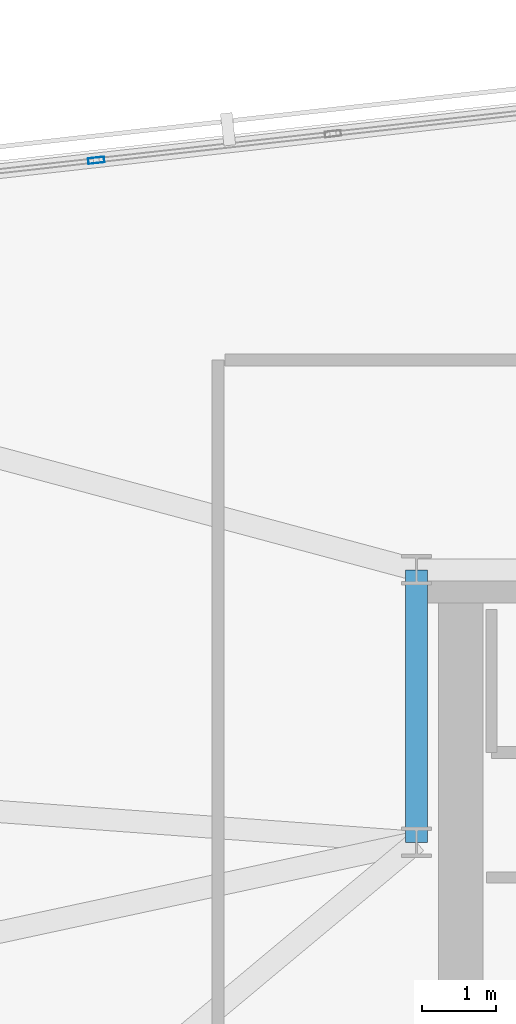
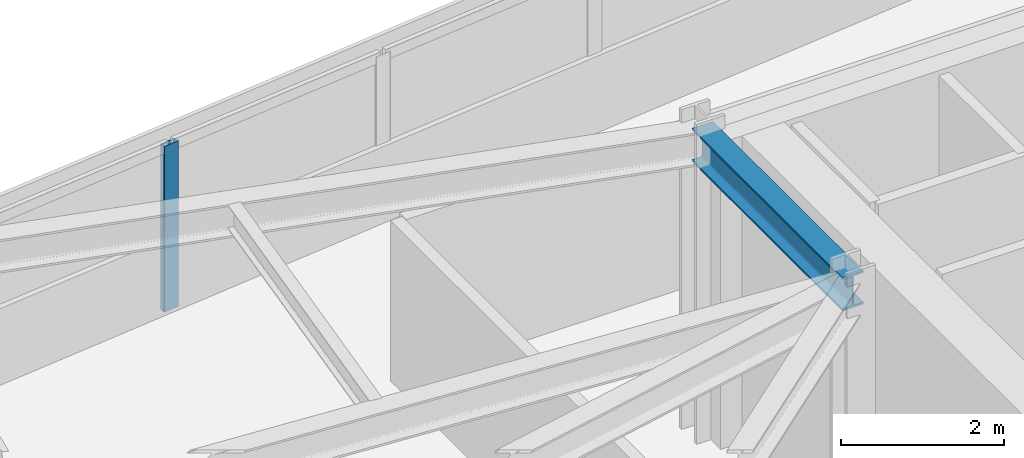
# One storey, part 3 of 12: 1 beam, 1 member, 1 element without a shape of its own.
"""IFC4 building model written with IfcOpenShell, lengths in metres."""

from ifc_helpers import new_model, si_unit, direction, frame, origin, origin_2d, place, context, subcontext, project, spatial, hollow_rectangle, i_section, extrude, material, material_profile, profile_set, type_object, element, aggregate, save


model = new_model("IFC4")

# Units and contexts
model_context = context("Model", 3, precision=1e-05, world=origin(), true_north=direction((0.0, 1.0)))
body_context = subcontext(model_context, "Body", "Model", "MODEL_VIEW")
ifc_project = project(units=[si_unit("LENGTHUNIT", "METRE"), si_unit("AREAUNIT", "SQUARE_METRE"), si_unit("VOLUMEUNIT", "CUBIC_METRE"), si_unit("PLANEANGLEUNIT", "RADIAN"), si_unit("MASSUNIT", "GRAM", prefix="KILO")], contexts=[model_context])

# Site, building, storey
site_placement = place(None, origin())
site = spatial("IfcSite", under=ifc_project, at=site_placement, CompositionType="ELEMENT")
building_placement = place(site_placement, origin())
building = spatial("IfcBuilding", under=site, at=building_placement, Name="Narakoshi Arena Tower", CompositionType="ELEMENT")
storey_placement = place(building_placement, frame((0.0, 0.0, 307.780029296875)))
storey = spatial("IfcBuildingStorey", under=building, at=storey_placement, Name="L83", CompositionType="ELEMENT", Elevation=307.780029296875)

# Beam
ifc_material_1 = material(Name="Structural steel S355J2", Category="steel")
ifc_material_profile_1 = material_profile(ifc_material_1, i_section(OverallWidth=0.300048828125, OverallDepth=0.5, WebThickness=0.014404296875, FlangeThickness=0.028076171875, FilletRadius=0.027099609375, at=origin_2d()), Name="HE500B")
ifc_profile_set_1 = profile_set([ifc_material_profile_1], Name="Structural steel S355J2")
beam_type = type_object("IfcBeamType", Name="BM-PRI-500", PredefinedType="BEAM", material=ifc_profile_set_1)
beam_placement = place(storey_placement, frame((72.0, 52.800048828125, 4.349853515625), z_axis=(0.0, 1.0, 0.0), x_axis=(-1.0, 0.0, 0.0)))
element("IfcBeam", 1, at=beam_placement, inside=storey, type_object=beam_type, Name="L83 Core Perimeter Frame Beam CC4-CC5", PredefinedType="BEAM", context=body_context, shape_type="SweptSolid", body=[
    extrude(i_section(OverallWidth=0.300048828125, OverallDepth=0.5, WebThickness=0.014404296875, FlangeThickness=0.028076171875, FilletRadius=0.027099609375, at=origin_2d()), origin(), (0.0, 0.0, 1.0), 3.699951171875),
])

# Curtain wall, member
ifc_material_2 = material(Name="Anodised bronze aluminium 6063-T6", Category="aluminium")
curtain_wall_type = type_object("IfcCurtainWallType", Name="CW-CRN-FACET", PredefinedType="NOTDEFINED", material=ifc_material_2)
curtain_wall_placement = place(storey_placement, origin())
curtain_wall = element("IfcCurtainWall", 2, at=curtain_wall_placement, inside=storey, type_object=curtain_wall_type, Name="L83 Slanted-Cut Crown Curtain Wall 6-2", PredefinedType="NOTDEFINED")
ifc_material_profile_2 = material_profile(ifc_material_2, hollow_rectangle(XDim=0.080078125, YDim=0.219970703125, WallThickness=0.0048828125, OuterFilletRadius=0.006103515625, at=origin_2d()), Name="MUL220x80x5")
ifc_profile_set_2 = profile_set([ifc_material_profile_2], Name="Anodised bronze aluminium 6063-T6")
member_type = type_object("IfcMemberType", Name="MEM-MUL-220", PredefinedType="MULLION", material=ifc_profile_set_2)
member_placement = place(storey_placement, frame((67.648193359375, 62.06494140625, 0.0), z_axis=(0.0, 0.0, 1.0), x_axis=(-0.11139525537, 0.993776180576, 0.0)))
member = element("IfcMember", 3, at=member_placement, type_object=member_type, Name="CW-06 mullion 4", PredefinedType="MULLION", context=body_context, shape_type="SweptSolid", body=[
    extrude(hollow_rectangle(XDim=0.080078125, YDim=0.219970703125, WallThickness=0.0048828125, OuterFilletRadius=0.006103515625, at=origin_2d()), origin(), (0.0, 0.0, 1.0), 2.4873046875),
])
aggregate(curtain_wall, [member])

save(model, "model.ifc")
